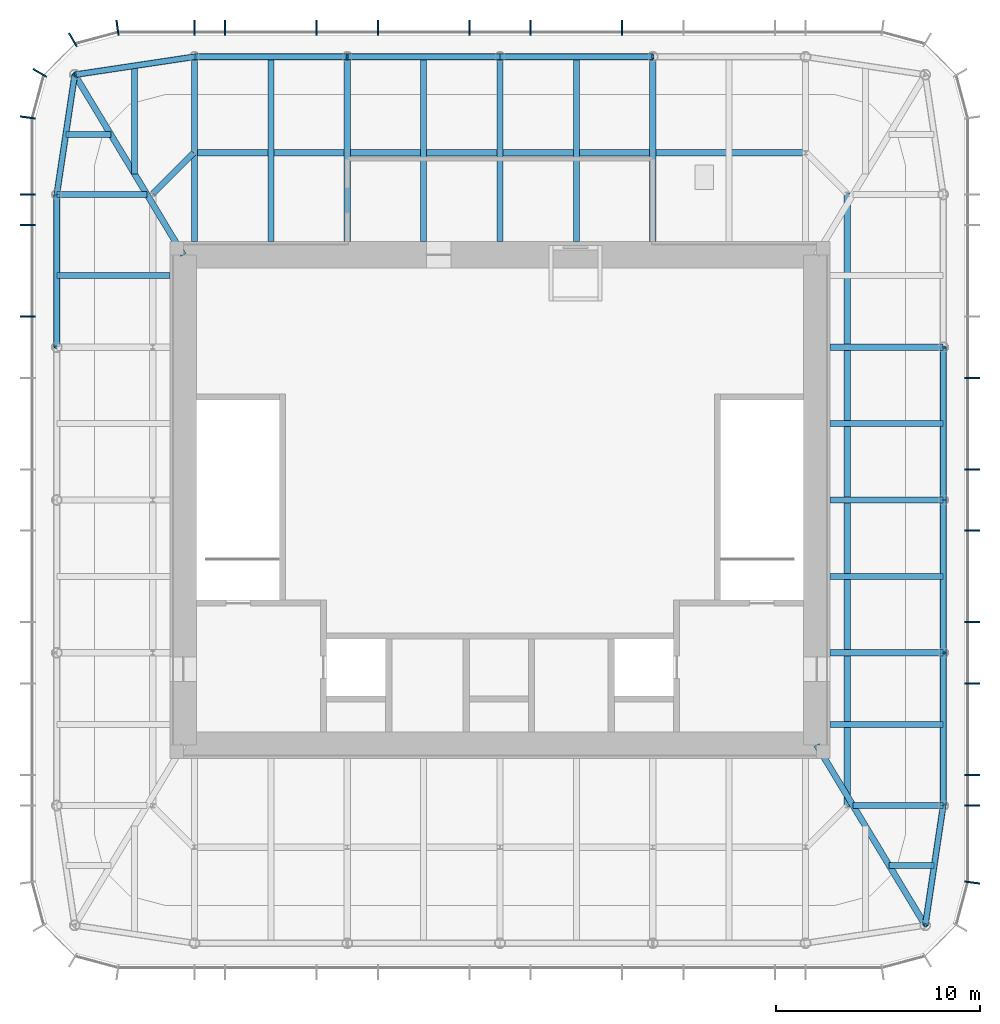
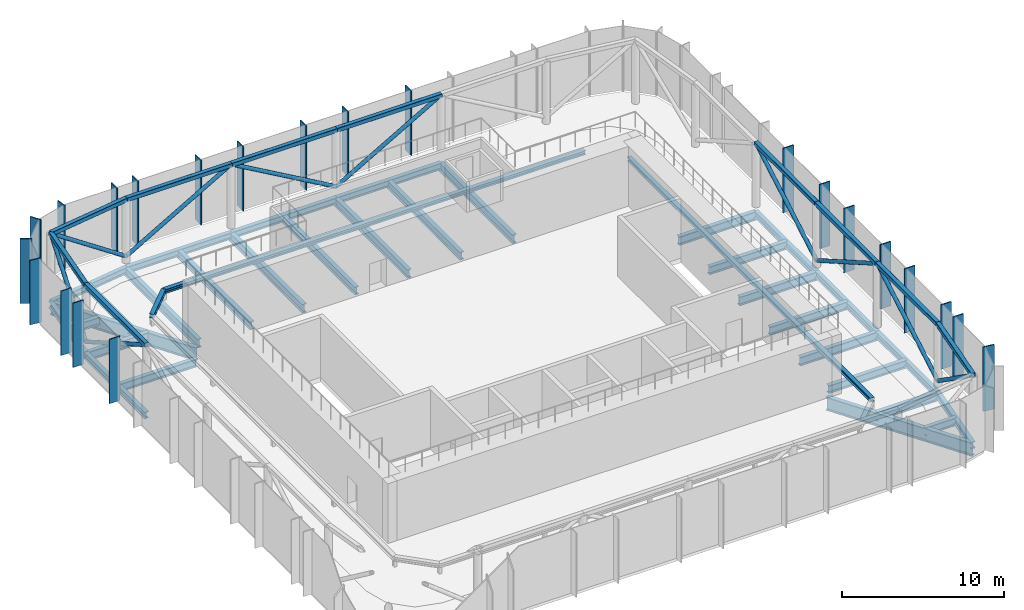
# One storey, part 3 of 12: 45 members, 31 beams, 4 elements without a shape of their own.
"""IFC4 building model written with IfcOpenShell, lengths in metres."""

from ifc_helpers import new_model, si_unit, direction, frame, origin, origin_2d, place, context, subcontext, project, spatial, rectangle, hollow_rectangle, hollow_circle, i_section, extrude, material, material_profile, profile_set, type_object, element, aggregate, save


model = new_model("IFC4")

# Units and contexts
model_context = context("Model", 3, precision=1e-05, world=origin(), true_north=direction((0.0, 1.0)))
body_context = subcontext(model_context, "Body", "Model", "MODEL_VIEW")
ifc_project = project(units=[si_unit("LENGTHUNIT", "METRE"), si_unit("AREAUNIT", "SQUARE_METRE"), si_unit("VOLUMEUNIT", "CUBIC_METRE"), si_unit("PLANEANGLEUNIT", "RADIAN"), si_unit("MASSUNIT", "GRAM", prefix="KILO")], contexts=[model_context])

# Site, building, storey
site_placement = place(None, origin())
site = spatial("IfcSite", under=ifc_project, at=site_placement, CompositionType="ELEMENT")
building_placement = place(site_placement, origin())
building = spatial("IfcBuilding", under=site, at=building_placement, Name="Khuree Lantern Residences", CompositionType="ELEMENT")
storey_placement = place(building_placement, frame((0.0, 0.0, 363.25)))
storey = spatial("IfcBuildingStorey", under=building, at=storey_placement, Name="RF", CompositionType="ELEMENT", Elevation=363.25)

# Beams
ifc_material_1 = material(Name="Steel S355", Category="steel")
ifc_material_profile_1 = material_profile(ifc_material_1, i_section(OverallWidth=0.300048828125, OverallDepth=0.590087890625, WebThickness=0.012939453125, FlangeThickness=0.02490234375, FilletRadius=0.027099609375, at=origin_2d()), Name="HE 600 A")
ifc_profile_set_1 = profile_set([ifc_material_profile_1], Name="Steel S355")
beam_type_1 = type_object("IfcBeamType", Name="B-RF SECONDARY BEAM HE 600 A", PredefinedType="BEAM", material=ifc_profile_set_1)
for number, where, z_axis, x_axis, name in (
    (1, (-11.219970703125, 21.699951171875, -0.64501953125), (0.0, -1.0, 0.0), (1.0, 0.0, 0.0), "Secondary beam N1"),
    (2, (-3.739990234375, 21.699951171875, -0.64501953125), (0.0, -1.0, 0.0), (1.0, 0.0, 0.0), "Secondary beam N2"),
    (3, (3.739990234375, 21.699951171875, -0.64501953125), (0.0, -1.0, 0.0), (1.0, 0.0, 0.0), "Secondary beam N3"),
):
    element("IfcBeam", number, at=place(storey_placement, frame(where, z_axis=z_axis, x_axis=x_axis)), inside=storey, type_object=beam_type_1, Name=name, PredefinedType="BEAM", context=body_context, shape_type="SweptSolid", body=[
        extrude(i_section(OverallWidth=0.300048828125, OverallDepth=0.590087890625, WebThickness=0.012939453125, FlangeThickness=0.02490234375, FilletRadius=0.027099609375, at=origin_2d()), origin(), (0.0, 0.0, 1.0), 9.050048828125),
    ])
for number, where, z_axis, x_axis, name in (
    (4, (21.699951171875, 3.739990234375, -0.64501953125), (-1.0, 0.0, 0.0), (0.0, -1.0, 0.0), "Secondary beam E3"),
    (5, (21.699951171875, -3.739990234375, -0.64501953125), (-1.0, 0.0, 0.0), (0.0, -1.0, 0.0), "Secondary beam E4"),
    (6, (21.699951171875, -11.0, -0.64501953125), (-1.0, 0.0, 0.0), (0.0, -1.0, 0.0), "Secondary beam E5"),
):
    element("IfcBeam", number, at=place(storey_placement, frame(where, z_axis=z_axis, x_axis=x_axis)), inside=storey, type_object=beam_type_1, Name=name, PredefinedType="BEAM", context=body_context, shape_type="SweptSolid", body=[
        extrude(i_section(OverallWidth=0.300048828125, OverallDepth=0.590087890625, WebThickness=0.012939453125, FlangeThickness=0.02490234375, FilletRadius=0.027099609375, at=origin_2d()), origin(), (0.0, 0.0, 1.0), 5.550048828125),
    ])
beam_1_placement = place(storey_placement, frame((21.2607421875, -17.890625, -0.64501953125), z_axis=(-1.0, 0.0, 0.0), x_axis=(0.0, -1.0, 0.0)))
element("IfcBeam", 7, at=beam_1_placement, inside=storey, type_object=beam_type_1, Name="Secondary beam E6", PredefinedType="BEAM", context=body_context, shape_type="SweptSolid", body=[
    extrude(i_section(OverallWidth=0.300048828125, OverallDepth=0.590087890625, WebThickness=0.012939453125, FlangeThickness=0.02490234375, FilletRadius=0.027099609375, at=origin_2d()), origin(), (0.0, 0.0, 1.0), 2.207275390625),
])
beam_2_placement = place(storey_placement, frame((-21.699951171875, 11.0, -0.64501953125), z_axis=(1.0, 0.0, 0.0), x_axis=(0.0, 1.0, 0.0)))
element("IfcBeam", 8, at=beam_2_placement, inside=storey, type_object=beam_type_1, Name="Secondary beam W5", PredefinedType="BEAM", context=body_context, shape_type="SweptSolid", body=[
    extrude(i_section(OverallWidth=0.300048828125, OverallDepth=0.590087890625, WebThickness=0.012939453125, FlangeThickness=0.02490234375, FilletRadius=0.027099609375, at=origin_2d()), origin(), (0.0, 0.0, 1.0), 5.550048828125),
])
beam_3_placement = place(storey_placement, frame((-21.2607421875, 17.890625, -0.64501953125), z_axis=(1.0, 0.0, 0.0), x_axis=(0.0, 1.0, 0.0)))
element("IfcBeam", 9, at=beam_3_placement, inside=storey, type_object=beam_type_1, Name="Secondary beam W6", PredefinedType="BEAM", context=body_context, shape_type="SweptSolid", body=[
    extrude(i_section(OverallWidth=0.300048828125, OverallDepth=0.590087890625, WebThickness=0.012939453125, FlangeThickness=0.02490234375, FilletRadius=0.027099609375, at=origin_2d()), origin(), (0.0, 0.0, 1.0), 2.207275390625),
])
beam_4_placement = place(storey_placement, frame((-17.890625, 21.2607421875, -0.64501953125), z_axis=(0.0, -1.0, 0.0), x_axis=(1.0, 0.0, 0.0)))
element("IfcBeam", 10, at=beam_4_placement, inside=storey, type_object=beam_type_1, Name="Secondary beam N6", PredefinedType="BEAM", context=body_context, shape_type="SweptSolid", body=[
    extrude(i_section(OverallWidth=0.300048828125, OverallDepth=0.590087890625, WebThickness=0.012939453125, FlangeThickness=0.02490234375, FilletRadius=0.027099609375, at=origin_2d()), origin(), (0.0, 0.0, 1.0), 5.297607421875),
])

# Members
ifc_material_profile_2 = material_profile(ifc_material_1, i_section(OverallWidth=0.300048828125, OverallDepth=0.300048828125, WebThickness=0.010986328125, FlangeThickness=0.01904296875, FilletRadius=0.027099609375, at=origin_2d()), Name="HE 300 B")
ifc_profile_set_2 = profile_set([ifc_material_profile_2], Name="Steel S355")
member_type_1 = type_object("IfcMemberType", Name="BM1 GANTRY TRACK HE 300 B", PredefinedType="USERDEFINED", material=ifc_profile_set_2)
for number, where, z_axis, x_axis, name in (
    (11, (17.0, -15.0, 0.64990234375), (0.0, 1.0, 0.0), (-1.0, 0.0, 0.0), "Gantry track 2"),
    (12, (15.0, 17.0, 0.64990234375), (-1.0, 0.0, 0.0), (0.0, -1.0, 0.0), "Gantry track 4"),
):
    element("IfcMember", number, at=place(storey_placement, frame(where, z_axis=z_axis, x_axis=x_axis)), inside=storey, type_object=member_type_1, Name=name, ObjectType="GANTRY TRACK", PredefinedType="USERDEFINED", context=body_context, shape_type="SweptSolid", body=[
        extrude(i_section(OverallWidth=0.300048828125, OverallDepth=0.300048828125, WebThickness=0.010986328125, FlangeThickness=0.01904296875, FilletRadius=0.027099609375, at=origin_2d()), origin(), (0.0, 0.0, 1.0), 30.0),
    ])
member_1_placement = place(storey_placement, frame((-15.0, 17.0, 0.64990234375), z_axis=(-0.707106781187, -0.707106781187, 0.0), x_axis=(0.707106781187, -0.707106781187, 0.0)))
element("IfcMember", 13, at=member_1_placement, inside=storey, type_object=member_type_1, Name="Gantry track 5", ObjectType="GANTRY TRACK", PredefinedType="USERDEFINED", context=body_context, shape_type="SweptSolid", body=[
    extrude(i_section(OverallWidth=0.300048828125, OverallDepth=0.300048828125, WebThickness=0.010986328125, FlangeThickness=0.01904296875, FilletRadius=0.027099609375, at=origin_2d()), origin(), (0.0, 0.0, 1.0), 2.828369140625),
])
ifc_material_profile_3 = material_profile(ifc_material_1, hollow_rectangle(XDim=0.300048828125, YDim=0.300048828125, WallThickness=0.012451171875, InnerFilletRadius=0.012451171875, OuterFilletRadius=0.018798828125, at=origin_2d()), Name="SHS 300X300X12.5")
ifc_profile_set_3 = profile_set([ifc_material_profile_3], Name="Steel S355")
member_type_2 = type_object("IfcMemberType", Name="CF2 LANTERN FRAME RING SHS 300X300X12.5", PredefinedType="CHORD", material=ifc_profile_set_3)
for number, where, z_axis, x_axis, name in (
    (14, (-14.9599609375, 21.699951171875, 4.699951171875), (1.0, 0.0, 0.0), (0.0, 1.0, 0.0), "Lantern frame ring N1"),
    (15, (-7.47998046875, 21.699951171875, 4.699951171875), (1.0, 0.0, 0.0), (0.0, 1.0, 0.0), "Lantern frame ring N2"),
    (16, (0.0, 21.699951171875, 4.699951171875), (1.0, 0.0, 0.0), (0.0, 1.0, 0.0), "Lantern frame ring N3"),
    (17, (21.699951171875, 7.47998046875, 4.699951171875), (0.0, -1.0, 0.0), (1.0, 0.0, 0.0), "Lantern frame ring E3"),
    (18, (21.699951171875, 0.0, 4.699951171875), (0.0, -1.0, 0.0), (1.0, 0.0, 0.0), "Lantern frame ring E4"),
    (19, (21.699951171875, -7.47998046875, 4.699951171875), (0.0, -1.0, 0.0), (1.0, 0.0, 0.0), "Lantern frame ring E5"),
):
    element("IfcMember", number, at=place(storey_placement, frame(where, z_axis=z_axis, x_axis=x_axis)), inside=storey, type_object=member_type_2, Name=name, PredefinedType="CHORD", context=body_context, shape_type="SweptSolid", body=[
        extrude(hollow_rectangle(XDim=0.300048828125, YDim=0.300048828125, WallThickness=0.012451171875, InnerFilletRadius=0.012451171875, OuterFilletRadius=0.018798828125, at=origin_2d()), origin(), (0.0, 0.0, 1.0), 7.47998046875),
    ])
member_2_placement = place(storey_placement, frame((21.699951171875, -14.9599609375, 4.699951171875), z_axis=(-0.148251822985, -0.988949643299, 0.0), x_axis=(0.988949643299, -0.148251822985, 0.0)))
element("IfcMember", 20, at=member_2_placement, inside=storey, type_object=member_type_2, Name="Lantern frame ring E6", PredefinedType="CHORD", context=body_context, shape_type="SweptSolid", body=[
    extrude(hollow_rectangle(XDim=0.300048828125, YDim=0.300048828125, WallThickness=0.012451171875, InnerFilletRadius=0.012451171875, OuterFilletRadius=0.018798828125, at=origin_2d()), origin(), (0.0, 0.0, 1.0), 5.9267578125),
])
member_3_placement = place(storey_placement, frame((-21.699951171875, 7.47998046875, 4.699951171875), z_axis=(0.0, 1.0, 0.0), x_axis=(-1.0, 0.0, 0.0)))
element("IfcMember", 21, at=member_3_placement, inside=storey, type_object=member_type_2, Name="Lantern frame ring W5", PredefinedType="CHORD", context=body_context, shape_type="SweptSolid", body=[
    extrude(hollow_rectangle(XDim=0.300048828125, YDim=0.300048828125, WallThickness=0.012451171875, InnerFilletRadius=0.012451171875, OuterFilletRadius=0.018798828125, at=origin_2d()), origin(), (0.0, 0.0, 1.0), 7.47998046875),
])
for number, where, z_axis, x_axis, name in (
    (22, (-21.699951171875, 14.9599609375, 4.699951171875), (0.148251822985, 0.988949643299, 0.0), (-0.988949643299, 0.148251822985, 0.0), "Lantern frame ring W6"),
    (23, (-20.8212890625, 20.8212890625, 4.699951171875), (0.988949643299, 0.148251822985, 0.0), (-0.148251822985, 0.988949643299, 0.0), "Lantern frame ring N6"),
):
    element("IfcMember", number, at=place(storey_placement, frame(where, z_axis=z_axis, x_axis=x_axis)), inside=storey, type_object=member_type_2, Name=name, PredefinedType="CHORD", context=body_context, shape_type="SweptSolid", body=[
        extrude(hollow_rectangle(XDim=0.300048828125, YDim=0.300048828125, WallThickness=0.012451171875, InnerFilletRadius=0.012451171875, OuterFilletRadius=0.018798828125, at=origin_2d()), origin(), (0.0, 0.0, 1.0), 5.9267578125),
    ])
ifc_material_profile_4 = material_profile(ifc_material_1, hollow_circle(Radius=0.136474609375, WallThickness=0.012451171875, at=origin_2d()), Name="CHS 273X12.5")
ifc_profile_set_4 = profile_set([ifc_material_profile_4], Name="Steel S355")
member_type_3 = type_object("IfcMemberType", Name="CF3 LANTERN FRAME BRACE CHS 273X12.5", PredefinedType="BRACE", material=ifc_profile_set_4)
for number, where, z_axis, x_axis, name in (
    (24, (-14.9599609375, 21.699951171875, 0.39990234375), (0.866953376131, 0.0, 0.498389249096), (0.0, 1.0, 0.0), "Lantern frame brace N1"),
    (25, (-7.47998046875, 21.699951171875, 4.699951171875), (0.866953376131, 0.0, -0.498389249096), (0.0, 1.0, 0.0), "Lantern frame brace N2"),
    (26, (0.0, 21.699951171875, 0.39990234375), (0.866953376131, 0.0, 0.498389249096), (0.0, 1.0, 0.0), "Lantern frame brace N3"),
    (27, (21.699951171875, 7.47998046875, 4.699951171875), (0.0, -0.866953376131, -0.498389249096), (1.0, 0.0, 0.0), "Lantern frame brace E3"),
    (28, (21.699951171875, 0.0, 0.39990234375), (0.0, -0.866953376131, 0.498389249096), (1.0, 0.0, 0.0), "Lantern frame brace E4"),
    (29, (21.699951171875, -7.47998046875, 4.699951171875), (0.0, -0.866953376131, -0.498389249096), (1.0, 0.0, 0.0), "Lantern frame brace E5"),
):
    element("IfcMember", number, at=place(storey_placement, frame(where, z_axis=z_axis, x_axis=x_axis)), inside=storey, type_object=member_type_3, Name=name, PredefinedType="BRACE", context=body_context, shape_type="SweptSolid", body=[
        extrude(hollow_circle(Radius=0.136474609375, WallThickness=0.012451171875, at=origin_2d()), origin(), (0.0, 0.0, 1.0), 8.6279296875),
    ])
member_4_placement = place(storey_placement, frame((21.699951171875, -14.9599609375, 0.39990234375), z_axis=(-0.119996360507, -0.800464746609, 0.587245317479), x_axis=(0.988949643299, -0.148251822985, 0.0)))
element("IfcMember", 30, at=member_4_placement, inside=storey, type_object=member_type_3, Name="Lantern frame brace E6", PredefinedType="BRACE", context=body_context, shape_type="SweptSolid", body=[
    extrude(hollow_circle(Radius=0.136474609375, WallThickness=0.012451171875, at=origin_2d()), origin(), (0.0, 0.0, 1.0), 7.322509765625),
])
member_5_placement = place(storey_placement, frame((-21.699951171875, 7.47998046875, 4.699951171875), z_axis=(0.0, 0.866953376131, -0.498389249096), x_axis=(-1.0, 0.0, 0.0)))
element("IfcMember", 31, at=member_5_placement, inside=storey, type_object=member_type_3, Name="Lantern frame brace W5", PredefinedType="BRACE", context=body_context, shape_type="SweptSolid", body=[
    extrude(hollow_circle(Radius=0.136474609375, WallThickness=0.012451171875, at=origin_2d()), origin(), (0.0, 0.0, 1.0), 8.6279296875),
])
for number, where, z_axis, x_axis, name in (
    (32, (-21.699951171875, 14.9599609375, 0.39990234375), (0.119996360507, 0.800464746609, 0.587245317479), (-0.988949643299, 0.148251822985, 0.0), "Lantern frame brace W6"),
    (33, (-20.8212890625, 20.8212890625, 4.699951171875), (0.800464746609, 0.119996360507, -0.587245317479), (-0.148251822985, 0.988949643299, 0.0), "Lantern frame brace N6"),
):
    element("IfcMember", number, at=place(storey_placement, frame(where, z_axis=z_axis, x_axis=x_axis)), inside=storey, type_object=member_type_3, Name=name, PredefinedType="BRACE", context=body_context, shape_type="SweptSolid", body=[
        extrude(hollow_circle(Radius=0.136474609375, WallThickness=0.012451171875, at=origin_2d()), origin(), (0.0, 0.0, 1.0), 7.322509765625),
    ])

# Beams
ifc_material_profile_5 = material_profile(ifc_material_1, i_section(OverallWidth=0.300048828125, OverallDepth=0.489990234375, WebThickness=0.011962890625, FlangeThickness=0.02294921875, FilletRadius=0.027099609375, at=origin_2d()), Name="HE 500 A")
ifc_profile_set_5 = profile_set([ifc_material_profile_5], Name="Steel S355")
beam_type_2 = type_object("IfcBeamType", Name="E-RF SPANDREL BEAM HE 500 A", PredefinedType="SPANDREL", material=ifc_profile_set_5)
for number, where, z_axis, x_axis, name in (
    (34, (-14.9599609375, 21.699951171875, -0.594970703125), (1.0, 0.0, 0.0), (0.0, 1.0, 0.0), "Spandrel beam N1"),
    (35, (-7.47998046875, 21.699951171875, -0.594970703125), (1.0, 0.0, 0.0), (0.0, 1.0, 0.0), "Spandrel beam N2"),
    (36, (0.0, 21.699951171875, -0.594970703125), (1.0, 0.0, 0.0), (0.0, 1.0, 0.0), "Spandrel beam N3"),
    (37, (21.699951171875, 7.47998046875, -0.594970703125), (0.0, -1.0, 0.0), (1.0, 0.0, 0.0), "Spandrel beam E3"),
    (38, (21.699951171875, 0.0, -0.594970703125), (0.0, -1.0, 0.0), (1.0, 0.0, 0.0), "Spandrel beam E4"),
    (39, (21.699951171875, -7.47998046875, -0.594970703125), (0.0, -1.0, 0.0), (1.0, 0.0, 0.0), "Spandrel beam E5"),
):
    element("IfcBeam", number, at=place(storey_placement, frame(where, z_axis=z_axis, x_axis=x_axis)), inside=storey, type_object=beam_type_2, Name=name, PredefinedType="SPANDREL", context=body_context, shape_type="SweptSolid", body=[
        extrude(i_section(OverallWidth=0.300048828125, OverallDepth=0.489990234375, WebThickness=0.011962890625, FlangeThickness=0.02294921875, FilletRadius=0.027099609375, at=origin_2d()), origin(), (0.0, 0.0, 1.0), 7.47998046875),
    ])
beam_5_placement = place(storey_placement, frame((21.699951171875, -14.9599609375, -0.594970703125), z_axis=(-0.148251822985, -0.988949643299, 0.0), x_axis=(0.988949643299, -0.148251822985, 0.0)))
element("IfcBeam", 40, at=beam_5_placement, inside=storey, type_object=beam_type_2, Name="Spandrel beam E6", PredefinedType="SPANDREL", context=body_context, shape_type="SweptSolid", body=[
    extrude(i_section(OverallWidth=0.300048828125, OverallDepth=0.489990234375, WebThickness=0.011962890625, FlangeThickness=0.02294921875, FilletRadius=0.027099609375, at=origin_2d()), origin(), (0.0, 0.0, 1.0), 5.9267578125),
])
beam_6_placement = place(storey_placement, frame((-21.699951171875, 7.47998046875, -0.594970703125), z_axis=(0.0, 1.0, 0.0), x_axis=(-1.0, 0.0, 0.0)))
element("IfcBeam", 41, at=beam_6_placement, inside=storey, type_object=beam_type_2, Name="Spandrel beam W5", PredefinedType="SPANDREL", context=body_context, shape_type="SweptSolid", body=[
    extrude(i_section(OverallWidth=0.300048828125, OverallDepth=0.489990234375, WebThickness=0.011962890625, FlangeThickness=0.02294921875, FilletRadius=0.027099609375, at=origin_2d()), origin(), (0.0, 0.0, 1.0), 7.47998046875),
])
for number, where, z_axis, x_axis, name in (
    (42, (-21.699951171875, 14.9599609375, -0.594970703125), (0.148251822985, 0.988949643299, 0.0), (-0.988949643299, 0.148251822985, 0.0), "Spandrel beam W6"),
    (43, (-20.8212890625, 20.8212890625, -0.594970703125), (0.988949643299, 0.148251822985, 0.0), (-0.148251822985, 0.988949643299, 0.0), "Spandrel beam N6"),
):
    element("IfcBeam", number, at=place(storey_placement, frame(where, z_axis=z_axis, x_axis=x_axis)), inside=storey, type_object=beam_type_2, Name=name, PredefinedType="SPANDREL", context=body_context, shape_type="SweptSolid", body=[
        extrude(i_section(OverallWidth=0.300048828125, OverallDepth=0.489990234375, WebThickness=0.011962890625, FlangeThickness=0.02294921875, FilletRadius=0.027099609375, at=origin_2d()), origin(), (0.0, 0.0, 1.0), 5.9267578125),
    ])

# Curtain wall, members
ifc_material_2 = material(Name="Bronze anodised aluminium", Category="aluminium")
curtain_wall_type = type_object("IfcCurtainWallType", Name="CW-L LANTERN CROWN CURTAIN WALL", PredefinedType="USERDEFINED", material=ifc_material_2)
curtain_wall_1_placement = place(storey_placement, origin())
curtain_wall_1 = element("IfcCurtainWall", 44, at=curtain_wall_1_placement, inside=storey, type_object=curtain_wall_type, Name="RF EAST FACE CURTAIN WALL", ObjectType="Lantern curtain wall", PredefinedType="USERDEFINED")
ifc_material_profile_6 = material_profile(ifc_material_2, rectangle(XDim=0.074951171875, YDim=0.75, at=origin_2d()), Name="F4 75X750")
ifc_profile_set_6 = profile_set([ifc_material_profile_6], Name="Bronze anodised aluminium")
member_type_4 = type_object("IfcMemberType", Name="F4 BRONZE FIN MULLION LANTERN 75X750", PredefinedType="MULLION", material=ifc_profile_set_6)
member_6_placement = place(storey_placement, frame((23.12451171875, -18.7294921875, 0.0), z_axis=(0.0, 0.0, 1.0), x_axis=(0.130526125236, 0.991444870192, 0.0)))
member_6 = element("IfcMember", 45, at=member_6_placement, type_object=member_type_4, Name="RF EAST FACE FIN MULLION 4", PredefinedType="MULLION", context=body_context, shape_type="SweptSolid", body=[
    extrude(rectangle(XDim=0.074951171875, YDim=0.75, at=origin_2d()), origin(), (0.0, 0.0, 1.0), 4.85009765625),
])
member_7_placement = place(storey_placement, frame((23.125, -14.9599609375, 0.0), z_axis=(0.0, 0.0, 1.0), x_axis=(0.0, 1.0, 0.0)))
member_7 = element("IfcMember", 46, at=member_7_placement, type_object=member_type_4, Name="RF EAST FACE FIN MULLION 5", PredefinedType="MULLION", context=body_context, shape_type="SweptSolid", body=[
    extrude(rectangle(XDim=0.074951171875, YDim=0.75, at=origin_2d()), origin(), (0.0, 0.0, 1.0), 4.85009765625),
])
member_8_placement = place(storey_placement, frame((23.125, -13.464111328125, 0.0), z_axis=(0.0, 0.0, 1.0), x_axis=(0.0, 1.0, 0.0)))
member_8 = element("IfcMember", 47, at=member_8_placement, type_object=member_type_4, Name="RF EAST FACE FIN MULLION 6", PredefinedType="MULLION", context=body_context, shape_type="SweptSolid", body=[
    extrude(rectangle(XDim=0.074951171875, YDim=0.75, at=origin_2d()), origin(), (0.0, 0.0, 1.0), 4.85009765625),
])
member_9_placement = place(storey_placement, frame((23.125, -8.97607421875, 0.0), z_axis=(0.0, 0.0, 1.0), x_axis=(0.0, 1.0, 0.0)))
member_9 = element("IfcMember", 48, at=member_9_placement, type_object=member_type_4, Name="RF EAST FACE FIN MULLION 7", PredefinedType="MULLION", context=body_context, shape_type="SweptSolid", body=[
    extrude(rectangle(XDim=0.074951171875, YDim=0.75, at=origin_2d()), origin(), (0.0, 0.0, 1.0), 4.85009765625),
])
member_10_placement = place(storey_placement, frame((23.125, -5.98388671875, 0.0), z_axis=(0.0, 0.0, 1.0), x_axis=(0.0, 1.0, 0.0)))
member_10 = element("IfcMember", 49, at=member_10_placement, type_object=member_type_4, Name="RF EAST FACE FIN MULLION 8", PredefinedType="MULLION", context=body_context, shape_type="SweptSolid", body=[
    extrude(rectangle(XDim=0.074951171875, YDim=0.75, at=origin_2d()), origin(), (0.0, 0.0, 1.0), 4.85009765625),
])
member_11_placement = place(storey_placement, frame((23.125, -1.49609375, 0.0), z_axis=(0.0, 0.0, 1.0), x_axis=(0.0, 1.0, 0.0)))
member_11 = element("IfcMember", 50, at=member_11_placement, type_object=member_type_4, Name="RF EAST FACE FIN MULLION 9", PredefinedType="MULLION", context=body_context, shape_type="SweptSolid", body=[
    extrude(rectangle(XDim=0.074951171875, YDim=0.75, at=origin_2d()), origin(), (0.0, 0.0, 1.0), 4.85009765625),
])
member_12_placement = place(storey_placement, frame((23.125, 1.49609375, 0.0), z_axis=(0.0, 0.0, 1.0), x_axis=(0.0, 1.0, 0.0)))
member_12 = element("IfcMember", 51, at=member_12_placement, type_object=member_type_4, Name="RF EAST FACE FIN MULLION 10", PredefinedType="MULLION", context=body_context, shape_type="SweptSolid", body=[
    extrude(rectangle(XDim=0.074951171875, YDim=0.75, at=origin_2d()), origin(), (0.0, 0.0, 1.0), 4.85009765625),
])
member_13_placement = place(storey_placement, frame((23.125, 5.98388671875, 0.0), z_axis=(0.0, 0.0, 1.0), x_axis=(0.0, 1.0, 0.0)))
member_13 = element("IfcMember", 52, at=member_13_placement, type_object=member_type_4, Name="RF EAST FACE FIN MULLION 11", PredefinedType="MULLION", context=body_context, shape_type="SweptSolid", body=[
    extrude(rectangle(XDim=0.074951171875, YDim=0.75, at=origin_2d()), origin(), (0.0, 0.0, 1.0), 4.85009765625),
])
aggregate(curtain_wall_1, [member_6, member_7, member_8, member_9, member_10, member_11, member_12, member_13])

curtain_wall_2_placement = place(storey_placement, origin())
curtain_wall_2 = element("IfcCurtainWall", 53, at=curtain_wall_2_placement, inside=storey, type_object=curtain_wall_type, Name="RF NORTH FACE CURTAIN WALL", ObjectType="Lantern curtain wall", PredefinedType="USERDEFINED")
member_14_placement = place(storey_placement, frame((5.98388671875, 23.125, 0.0), z_axis=(0.0, 0.0, 1.0), x_axis=(-1.0, 0.0, 0.0)))
member_14 = element("IfcMember", 54, at=member_14_placement, type_object=member_type_4, Name="RF NORTH FACE FIN MULLION 22", PredefinedType="MULLION", context=body_context, shape_type="SweptSolid", body=[
    extrude(rectangle(XDim=0.074951171875, YDim=0.75, at=origin_2d()), origin(), (0.0, 0.0, 1.0), 4.85009765625),
])
member_15_placement = place(storey_placement, frame((1.49609375, 23.125, 0.0), z_axis=(0.0, 0.0, 1.0), x_axis=(-1.0, 0.0, 0.0)))
member_15 = element("IfcMember", 55, at=member_15_placement, type_object=member_type_4, Name="RF NORTH FACE FIN MULLION 23", PredefinedType="MULLION", context=body_context, shape_type="SweptSolid", body=[
    extrude(rectangle(XDim=0.074951171875, YDim=0.75, at=origin_2d()), origin(), (0.0, 0.0, 1.0), 4.85009765625),
])
member_16_placement = place(storey_placement, frame((-1.49609375, 23.125, 0.0), z_axis=(0.0, 0.0, 1.0), x_axis=(-1.0, 0.0, 0.0)))
member_16 = element("IfcMember", 56, at=member_16_placement, type_object=member_type_4, Name="RF NORTH FACE FIN MULLION 24", PredefinedType="MULLION", context=body_context, shape_type="SweptSolid", body=[
    extrude(rectangle(XDim=0.074951171875, YDim=0.75, at=origin_2d()), origin(), (0.0, 0.0, 1.0), 4.85009765625),
])
member_17_placement = place(storey_placement, frame((-5.98388671875, 23.125, 0.0), z_axis=(0.0, 0.0, 1.0), x_axis=(-1.0, 0.0, 0.0)))
member_17 = element("IfcMember", 57, at=member_17_placement, type_object=member_type_4, Name="RF NORTH FACE FIN MULLION 25", PredefinedType="MULLION", context=body_context, shape_type="SweptSolid", body=[
    extrude(rectangle(XDim=0.074951171875, YDim=0.75, at=origin_2d()), origin(), (0.0, 0.0, 1.0), 4.85009765625),
])
member_18_placement = place(storey_placement, frame((-8.97607421875, 23.125, 0.0), z_axis=(0.0, 0.0, 1.0), x_axis=(-1.0, 0.0, 0.0)))
member_18 = element("IfcMember", 58, at=member_18_placement, type_object=member_type_4, Name="RF NORTH FACE FIN MULLION 26", PredefinedType="MULLION", context=body_context, shape_type="SweptSolid", body=[
    extrude(rectangle(XDim=0.074951171875, YDim=0.75, at=origin_2d()), origin(), (0.0, 0.0, 1.0), 4.85009765625),
])
member_19_placement = place(storey_placement, frame((-13.464111328125, 23.125, 0.0), z_axis=(0.0, 0.0, 1.0), x_axis=(-1.0, 0.0, 0.0)))
member_19 = element("IfcMember", 59, at=member_19_placement, type_object=member_type_4, Name="RF NORTH FACE FIN MULLION 27", PredefinedType="MULLION", context=body_context, shape_type="SweptSolid", body=[
    extrude(rectangle(XDim=0.074951171875, YDim=0.75, at=origin_2d()), origin(), (0.0, 0.0, 1.0), 4.85009765625),
])
member_20_placement = place(storey_placement, frame((-14.9599609375, 23.125, 0.0), z_axis=(0.0, 0.0, 1.0), x_axis=(-1.0, 0.0, 0.0)))
member_20 = element("IfcMember", 60, at=member_20_placement, type_object=member_type_4, Name="RF NORTH FACE FIN MULLION 28", PredefinedType="MULLION", context=body_context, shape_type="SweptSolid", body=[
    extrude(rectangle(XDim=0.074951171875, YDim=0.75, at=origin_2d()), origin(), (0.0, 0.0, 1.0), 4.85009765625),
])
aggregate(curtain_wall_2, [member_14, member_15, member_16, member_17, member_18, member_19, member_20])

curtain_wall_3_placement = place(storey_placement, origin())
curtain_wall_3 = element("IfcCurtainWall", 61, at=curtain_wall_3_placement, inside=storey, type_object=curtain_wall_type, Name="RF NORTH-WEST CORNER CURTAIN WALL", ObjectType="Lantern curtain wall", PredefinedType="USERDEFINED")
member_21_placement = place(storey_placement, frame((-18.7294921875, 23.12451171875, 0.0), z_axis=(0.0, 0.0, 1.0), x_axis=(-0.991444870192, -0.130526125236, 0.0)))
member_21 = element("IfcMember", 62, at=member_21_placement, type_object=member_type_4, Name="RF NORTH-WEST CORNER FIN MULLION 29", PredefinedType="MULLION", context=body_context, shape_type="SweptSolid", body=[
    extrude(rectangle(XDim=0.074951171875, YDim=0.75, at=origin_2d()), origin(), (0.0, 0.0, 1.0), 4.85009765625),
])
member_22_placement = place(storey_placement, frame((-20.91259765625, 22.5322265625, 0.0), z_axis=(0.0, 0.0, 1.0), x_axis=(-0.866025437565, -0.49999994149, 0.0)))
member_22 = element("IfcMember", 63, at=member_22_placement, type_object=member_type_4, Name="RF NORTH-WEST CORNER FIN MULLION 30", PredefinedType="MULLION", context=body_context, shape_type="SweptSolid", body=[
    extrude(rectangle(XDim=0.074951171875, YDim=0.75, at=origin_2d()), origin(), (0.0, 0.0, 1.0), 4.85009765625),
])
member_23_placement = place(storey_placement, frame((-22.5322265625, 20.91259765625, 0.0), z_axis=(0.0, 0.0, 1.0), x_axis=(-0.49999994149, -0.866025437565, 0.0)))
member_23 = element("IfcMember", 64, at=member_23_placement, type_object=member_type_4, Name="RF NORTH-WEST CORNER FIN MULLION 31", PredefinedType="MULLION", context=body_context, shape_type="SweptSolid", body=[
    extrude(rectangle(XDim=0.074951171875, YDim=0.75, at=origin_2d()), origin(), (0.0, 0.0, 1.0), 4.85009765625),
])
aggregate(curtain_wall_3, [member_21, member_22, member_23])

curtain_wall_4_placement = place(storey_placement, origin())
curtain_wall_4 = element("IfcCurtainWall", 65, at=curtain_wall_4_placement, inside=storey, type_object=curtain_wall_type, Name="RF WEST FACE CURTAIN WALL", ObjectType="Lantern curtain wall", PredefinedType="USERDEFINED")
member_24_placement = place(storey_placement, frame((-23.12451171875, 18.7294921875, 0.0), z_axis=(0.0, 0.0, 1.0), x_axis=(-0.130526125236, -0.991444870192, 0.0)))
member_24 = element("IfcMember", 66, at=member_24_placement, type_object=member_type_4, Name="RF WEST FACE FIN MULLION 32", PredefinedType="MULLION", context=body_context, shape_type="SweptSolid", body=[
    extrude(rectangle(XDim=0.074951171875, YDim=0.75, at=origin_2d()), origin(), (0.0, 0.0, 1.0), 4.85009765625),
])
member_25_placement = place(storey_placement, frame((-23.125, 14.9599609375, 0.0), z_axis=(0.0, 0.0, 1.0), x_axis=(0.0, -1.0, 0.0)))
member_25 = element("IfcMember", 67, at=member_25_placement, type_object=member_type_4, Name="RF WEST FACE FIN MULLION 33", PredefinedType="MULLION", context=body_context, shape_type="SweptSolid", body=[
    extrude(rectangle(XDim=0.074951171875, YDim=0.75, at=origin_2d()), origin(), (0.0, 0.0, 1.0), 4.85009765625),
])
member_26_placement = place(storey_placement, frame((-23.125, 13.464111328125, 0.0), z_axis=(0.0, 0.0, 1.0), x_axis=(0.0, -1.0, 0.0)))
member_26 = element("IfcMember", 68, at=member_26_placement, type_object=member_type_4, Name="RF WEST FACE FIN MULLION 34", PredefinedType="MULLION", context=body_context, shape_type="SweptSolid", body=[
    extrude(rectangle(XDim=0.074951171875, YDim=0.75, at=origin_2d()), origin(), (0.0, 0.0, 1.0), 4.85009765625),
])
member_27_placement = place(storey_placement, frame((-23.125, 8.97607421875, 0.0), z_axis=(0.0, 0.0, 1.0), x_axis=(0.0, -1.0, 0.0)))
member_27 = element("IfcMember", 69, at=member_27_placement, type_object=member_type_4, Name="RF WEST FACE FIN MULLION 35", PredefinedType="MULLION", context=body_context, shape_type="SweptSolid", body=[
    extrude(rectangle(XDim=0.074951171875, YDim=0.75, at=origin_2d()), origin(), (0.0, 0.0, 1.0), 4.85009765625),
])
aggregate(curtain_wall_4, [member_24, member_25, member_26, member_27])

# Beams
ifc_material_profile_7 = material_profile(ifc_material_1, i_section(OverallWidth=0.300048828125, OverallDepth=0.64990234375, WebThickness=0.01611328125, FlangeThickness=0.031005859375, FilletRadius=0.027099609375, at=origin_2d()), Name="HE 650 B")
ifc_profile_set_7 = profile_set([ifc_material_profile_7], Name="Steel S355")
beam_type_3 = type_object("IfcBeamType", Name="G-RF GIRDER HE 650 B", PredefinedType="BEAM", material=ifc_profile_set_7)
for number, where, z_axis, x_axis, name in (
    (70, (-14.9599609375, 21.699951171875, -0.675048828125), (0.0, -1.0, 0.0), (1.0, 0.0, 0.0), "Girder N1"),
    (71, (-7.47998046875, 21.699951171875, -0.675048828125), (0.0, -1.0, 0.0), (1.0, 0.0, 0.0), "Girder N2"),
    (72, (0.0, 21.699951171875, -0.675048828125), (0.0, -1.0, 0.0), (1.0, 0.0, 0.0), "Girder N3"),
    (73, (7.47998046875, 21.699951171875, -0.675048828125), (0.0, -1.0, 0.0), (1.0, 0.0, 0.0), "Girder N4"),
):
    element("IfcBeam", number, at=place(storey_placement, frame(where, z_axis=z_axis, x_axis=x_axis)), inside=storey, type_object=beam_type_3, Name=name, PredefinedType="BEAM", context=body_context, shape_type="SweptSolid", body=[
        extrude(i_section(OverallWidth=0.300048828125, OverallDepth=0.64990234375, WebThickness=0.01611328125, FlangeThickness=0.031005859375, FilletRadius=0.027099609375, at=origin_2d()), origin(), (0.0, 0.0, 1.0), 9.050048828125),
    ])
for number, where, z_axis, x_axis, name in (
    (74, (21.699951171875, 7.47998046875, -0.675048828125), (-1.0, 0.0, 0.0), (0.0, -1.0, 0.0), "Girder E2"),
    (75, (21.699951171875, 0.0, -0.675048828125), (-1.0, 0.0, 0.0), (0.0, -1.0, 0.0), "Girder E3"),
    (76, (21.699951171875, -7.47998046875, -0.675048828125), (-1.0, 0.0, 0.0), (0.0, -1.0, 0.0), "Girder E4"),
):
    element("IfcBeam", number, at=place(storey_placement, frame(where, z_axis=z_axis, x_axis=x_axis)), inside=storey, type_object=beam_type_3, Name=name, PredefinedType="BEAM", context=body_context, shape_type="SweptSolid", body=[
        extrude(i_section(OverallWidth=0.300048828125, OverallDepth=0.64990234375, WebThickness=0.01611328125, FlangeThickness=0.031005859375, FilletRadius=0.027099609375, at=origin_2d()), origin(), (0.0, 0.0, 1.0), 5.550048828125),
    ])
for number, where, z_axis, x_axis, name in (
    (77, (21.699951171875, -14.9599609375, -0.675048828125), (-1.0, 0.0, 0.0), (0.0, -1.0, 0.0), "Girder E5"),
    (78, (-21.699951171875, 14.9599609375, -0.675048828125), (1.0, 0.0, 0.0), (0.0, 1.0, 0.0), "Girder W5"),
):
    element("IfcBeam", number, at=place(storey_placement, frame(where, z_axis=z_axis, x_axis=x_axis)), inside=storey, type_object=beam_type_3, Name=name, PredefinedType="BEAM", context=body_context, shape_type="SweptSolid", body=[
        extrude(i_section(OverallWidth=0.300048828125, OverallDepth=0.64990234375, WebThickness=0.01611328125, FlangeThickness=0.031005859375, FilletRadius=0.027099609375, at=origin_2d()), origin(), (0.0, 0.0, 1.0), 4.414306640625),
    ])
ifc_material_profile_8 = material_profile(ifc_material_1, i_section(OverallWidth=0.300048828125, OverallDepth=1.0, WebThickness=0.01904296875, FlangeThickness=0.035888671875, FilletRadius=0.030029296875, at=origin_2d()), Name="HE 1000 B")
ifc_profile_set_8 = profile_set([ifc_material_profile_8], Name="Steel S355")
beam_type_4 = type_object("IfcBeamType", Name="GD-RF CORNER GIRDER HE 1000 B", PredefinedType="BEAM", material=ifc_profile_set_8)
for number, where, z_axis, x_axis, name in (
    (79, (20.8212890625, -20.8212890625, -0.85009765625), (-0.516529577604, 0.856269347495, 0.0), (-0.856269347495, -0.516529577604, 0.0), "Corner girder SE"),
    (80, (-20.8212890625, 20.8212890625, -0.85009765625), (0.516529577604, -0.856269347495, 0.0), (0.856269347495, 0.516529577604, 0.0), "Corner girder NW"),
):
    element("IfcBeam", number, at=place(storey_placement, frame(where, z_axis=z_axis, x_axis=x_axis)), inside=storey, type_object=beam_type_4, Name=name, PredefinedType="BEAM", context=body_context, shape_type="SweptSolid", body=[
        extrude(i_section(OverallWidth=0.300048828125, OverallDepth=1.0, WebThickness=0.01904296875, FlangeThickness=0.035888671875, FilletRadius=0.030029296875, at=origin_2d()), origin(), (0.0, 0.0, 1.0), 10.302001953125),
    ])

save(model, "model.ifc")
